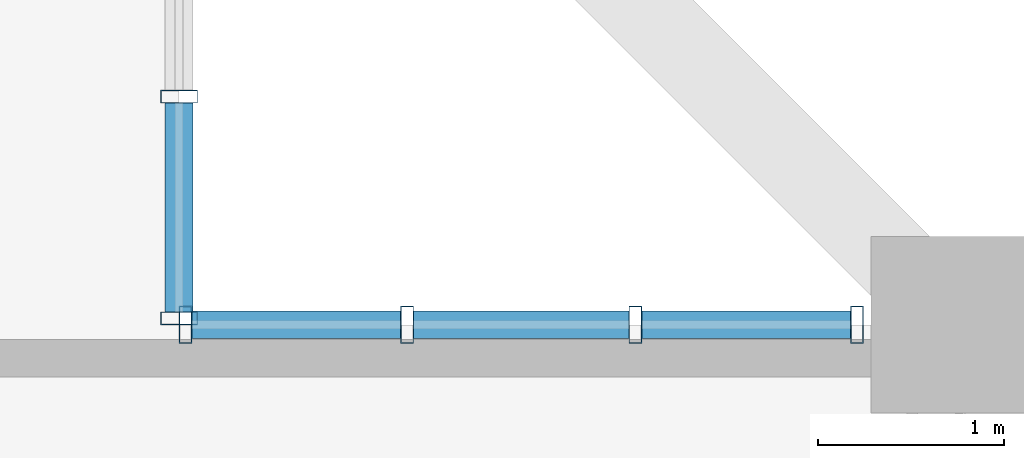
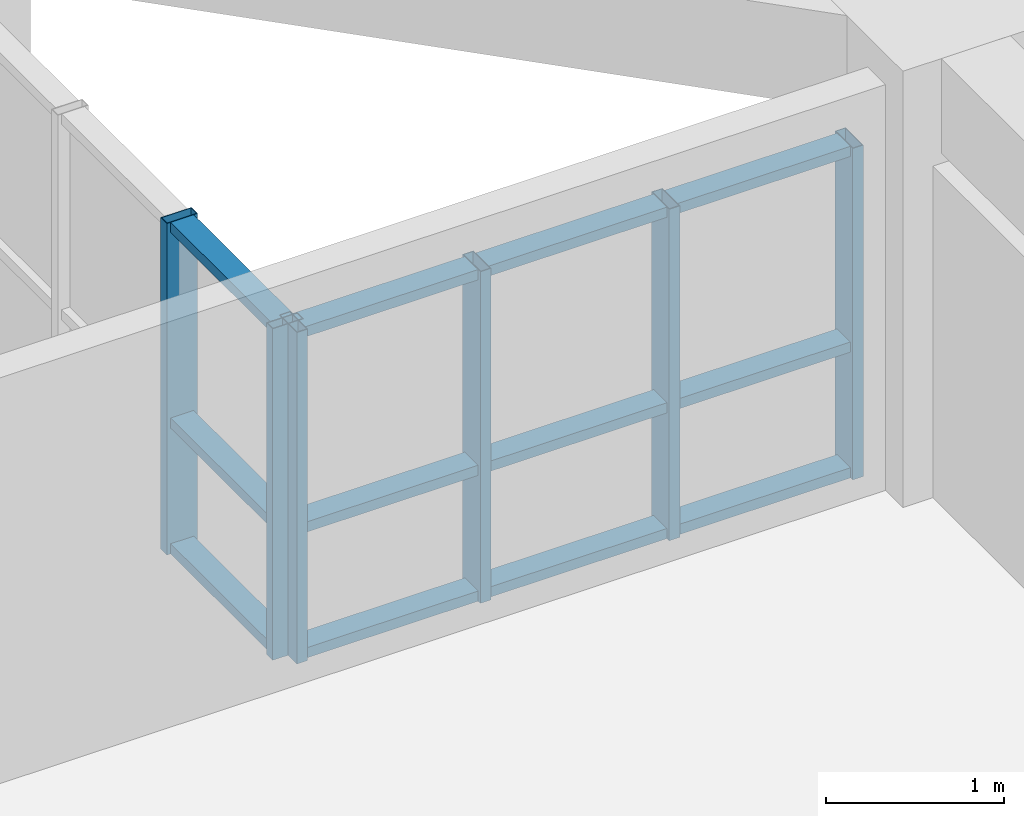
# One storey, part 10 of 22: 18 members, 2 elements without a shape of their own.
"""IFC4 building model written with IfcOpenShell, lengths in metres."""

from ifc_helpers import new_model, si_unit, direction, frame, origin, origin_2d, place, context, subcontext, project, spatial, hollow_rectangle, extrude, source, transform, mapped, material, layer, layer_set, material_profile, profile_set, type_object, element, aggregate, save


model = new_model("IFC4")

# Units and contexts
model_context = context("Model", 3, precision=1e-05, world=origin(), true_north=direction((0.0, 1.0)))
body_context = subcontext(model_context, "Body", "Model", "MODEL_VIEW")
ifc_project = project(units=[si_unit("LENGTHUNIT", "METRE"), si_unit("AREAUNIT", "SQUARE_METRE"), si_unit("VOLUMEUNIT", "CUBIC_METRE"), si_unit("PLANEANGLEUNIT", "RADIAN"), si_unit("MASSUNIT", "GRAM", prefix="KILO")], contexts=[model_context])

# Site, building, storey
site_placement = place(None, origin())
site = spatial("IfcSite", under=ifc_project, at=site_placement, CompositionType="ELEMENT")
building_placement = place(site_placement, origin())
building = spatial("IfcBuilding", under=site, at=building_placement, Name="Saelheon Loggia Tower", CompositionType="ELEMENT")
storey_placement = place(building_placement, frame((0.0, 0.0, 135.75)))
storey = spatial("IfcBuildingStorey", under=building, at=storey_placement, Name="L43", CompositionType="ELEMENT", Elevation=135.75)

# Curtain wall, members
ifc_material_1 = material(Name="High-Wind Aluminium and Triple Laminated Glass", Category="aluminium")
ifc_layer = layer(ifc_material_1, 0.179931640625)
ifc_layer_set = layer_set([ifc_layer], Name="High-Wind Aluminium and Triple Laminated Glass")
curtain_wall_type = type_object("IfcCurtainWallType", Name="CW_TowerLoggiaHigh", PredefinedType="NOTDEFINED", material=ifc_layer_set)
curtain_wall_1_placement = place(storey_placement, origin())
curtain_wall_1 = element("IfcCurtainWall", 1, at=curtain_wall_1_placement, inside=storey, type_object=curtain_wall_type, Name="L43 Corner Notch Glazing NE1", PredefinedType="NOTDEFINED")
ifc_material_2 = material(Name="Anodised Aluminium 6063-T6", Category="aluminium")
ifc_material_profile_1 = material_profile(ifc_material_2, hollow_rectangle(XDim=0.070068359375, YDim=0.199951171875, WallThickness=0.0048828125, at=origin_2d()), Name="RHS-200x70x5")
ifc_profile_set_1 = profile_set([ifc_material_profile_1], Name="Anodised Aluminium 6063-T6")
member_type_1 = type_object("IfcMemberType", Name="CW_TowerLoggiaHigh_Mullion", PredefinedType="MULLION", material=ifc_profile_set_1)
shared_shape_1 = source(origin(), body_context, "Body", "SweptSolid", [
    extrude(hollow_rectangle(XDim=0.070068359375, YDim=0.199951171875, WallThickness=0.0048828125, at=origin_2d()), origin(), (0.0, 0.0, 1.0), 2.280029296875),
])
member_1_placement = place(storey_placement, frame((59.800048828125, 46.8349609375, 0.0), z_axis=(0.0, 0.0, 1.0), x_axis=(0.0, 1.0, 0.0)))
member_1 = element("IfcMember", 2, at=member_1_placement, type_object=member_type_1, Name="CW4 mullion 1", PredefinedType="MULLION", context=body_context, shape_type="MappedRepresentation", body=[
    mapped(shared_shape_1, transform((0.0, 0.0, 0.0), scale=1.0)),
])
member_2_placement = place(storey_placement, frame((59.800048828125, 48.0283203125, 0.0), z_axis=(0.0, 0.0, 1.0), x_axis=(0.0, 1.0, 0.0)))
member_2 = element("IfcMember", 3, at=member_2_placement, type_object=member_type_1, Name="CW4 mullion 2", PredefinedType="MULLION", context=body_context, shape_type="MappedRepresentation", body=[
    mapped(shared_shape_1, transform((0.0, 0.0, 0.0), scale=1.0)),
])

curtain_wall_2_placement = place(storey_placement, origin())
curtain_wall_2 = element("IfcCurtainWall", 4, at=curtain_wall_2_placement, inside=storey, type_object=curtain_wall_type, Name="L43 Corner Notch Glazing NE2", PredefinedType="NOTDEFINED")
member_3_placement = place(storey_placement, frame((59.8349609375, 46.800048828125, 0.0), z_axis=(0.0, 0.0, 1.0), x_axis=(1.0, 0.0, 0.0)))
member_3 = element("IfcMember", 5, at=member_3_placement, type_object=member_type_1, Name="CW4 mullion 1", PredefinedType="MULLION", context=body_context, shape_type="MappedRepresentation", body=[
    mapped(shared_shape_1, transform((0.0, 0.0, 0.0), scale=1.0)),
])
member_4_placement = place(storey_placement, frame((61.0283203125, 46.800048828125, 0.0), z_axis=(0.0, 0.0, 1.0), x_axis=(1.0, 0.0, 0.0)))
member_4 = element("IfcMember", 6, at=member_4_placement, type_object=member_type_1, Name="CW4 mullion 2", PredefinedType="MULLION", context=body_context, shape_type="MappedRepresentation", body=[
    mapped(shared_shape_1, transform((0.0, 0.0, 0.0), scale=1.0)),
])
member_5_placement = place(storey_placement, frame((62.256591796875, 46.800048828125, 0.0), z_axis=(0.0, 0.0, 1.0), x_axis=(1.0, 0.0, 0.0)))
member_5 = element("IfcMember", 7, at=member_5_placement, type_object=member_type_1, Name="CW4 mullion 3", PredefinedType="MULLION", context=body_context, shape_type="MappedRepresentation", body=[
    mapped(shared_shape_1, transform((0.0, 0.0, 0.0), scale=1.0)),
])
member_6_placement = place(storey_placement, frame((63.449951171875, 46.800048828125, 0.0), z_axis=(0.0, 0.0, 1.0), x_axis=(1.0, 0.0, 0.0)))
member_6 = element("IfcMember", 8, at=member_6_placement, type_object=member_type_1, Name="CW4 mullion 4", PredefinedType="MULLION", context=body_context, shape_type="MappedRepresentation", body=[
    mapped(shared_shape_1, transform((0.0, 0.0, 0.0), scale=1.0)),
])

# Member
ifc_material_profile_2 = material_profile(ifc_material_2, hollow_rectangle(XDim=0.070068359375, YDim=0.14990234375, WallThickness=0.0048828125, at=origin_2d()), Name="RHS-150x70x5")
ifc_profile_set_2 = profile_set([ifc_material_profile_2], Name="Anodised Aluminium 6063-T6")
member_type_2 = type_object("IfcMemberType", Name="CW_TowerLoggiaHigh_Transom", PredefinedType="USERDEFINED", material=ifc_profile_set_2)
shared_shape_2 = source(origin(), body_context, "Body", "SweptSolid", [
    extrude(hollow_rectangle(XDim=0.070068359375, YDim=0.14990234375, WallThickness=0.0048828125, at=origin_2d()), origin(), (0.0, 0.0, 1.0), 1.123291015625),
])
member_7_placement = place(storey_placement, frame((59.800048828125, 46.8701171875, 0.034912109375), z_axis=(0.0, 1.0, 0.0), x_axis=(0.0, 0.0, 1.0)))
member_7 = element("IfcMember", 9, at=member_7_placement, type_object=member_type_2, Name="CW4 transom 1.1", ObjectType="TRANSOM", PredefinedType="USERDEFINED", context=body_context, shape_type="MappedRepresentation", body=[
    mapped(shared_shape_2, transform((0.0, 0.0, 0.0), scale=1.0)),
])

member_8_placement = place(storey_placement, frame((59.800048828125, 46.8701171875, 0.89990234375), z_axis=(0.0, 1.0, 0.0), x_axis=(0.0, 0.0, 1.0)))
member_8 = element("IfcMember", 10, at=member_8_placement, type_object=member_type_2, Name="CW4 transom 1.2", ObjectType="TRANSOM", PredefinedType="USERDEFINED", context=body_context, shape_type="MappedRepresentation", body=[
    mapped(shared_shape_2, transform((0.0, 0.0, 0.0), scale=1.0)),
])

member_9_placement = place(storey_placement, frame((59.800048828125, 46.8701171875, 2.2451171875), z_axis=(0.0, 1.0, 0.0), x_axis=(0.0, 0.0, 1.0)))
member_9 = element("IfcMember", 11, at=member_9_placement, type_object=member_type_2, Name="CW4 transom 1.3", ObjectType="TRANSOM", PredefinedType="USERDEFINED", context=body_context, shape_type="MappedRepresentation", body=[
    mapped(shared_shape_2, transform((0.0, 0.0, 0.0), scale=1.0)),
])

aggregate(curtain_wall_1, [member_1, member_2, member_7, member_8, member_9])

member_10_placement = place(storey_placement, frame((59.8701171875, 46.800048828125, 0.034912109375), z_axis=(1.0, 0.0, 0.0), x_axis=(0.0, 0.0, 1.0)))
member_10 = element("IfcMember", 12, at=member_10_placement, type_object=member_type_2, Name="CW4 transom 1.1", ObjectType="TRANSOM", PredefinedType="USERDEFINED", context=body_context, shape_type="MappedRepresentation", body=[
    mapped(shared_shape_2, transform((0.0, 0.0, 0.0), scale=1.0)),
])

member_11_placement = place(storey_placement, frame((59.8701171875, 46.800048828125, 0.89990234375), z_axis=(1.0, 0.0, 0.0), x_axis=(0.0, 0.0, 1.0)))
member_11 = element("IfcMember", 13, at=member_11_placement, type_object=member_type_2, Name="CW4 transom 1.2", ObjectType="TRANSOM", PredefinedType="USERDEFINED", context=body_context, shape_type="MappedRepresentation", body=[
    mapped(shared_shape_2, transform((0.0, 0.0, 0.0), scale=1.0)),
])

member_12_placement = place(storey_placement, frame((59.8701171875, 46.800048828125, 2.2451171875), z_axis=(1.0, 0.0, 0.0), x_axis=(0.0, 0.0, 1.0)))
member_12 = element("IfcMember", 14, at=member_12_placement, type_object=member_type_2, Name="CW4 transom 1.3", ObjectType="TRANSOM", PredefinedType="USERDEFINED", context=body_context, shape_type="MappedRepresentation", body=[
    mapped(shared_shape_2, transform((0.0, 0.0, 0.0), scale=1.0)),
])

member_13_placement = place(storey_placement, frame((62.291748046875, 46.800048828125, 0.034912109375), z_axis=(1.0, 0.0, 0.0), x_axis=(0.0, 0.0, 1.0)))
member_13 = element("IfcMember", 15, at=member_13_placement, type_object=member_type_2, Name="CW4 transom 3.1", ObjectType="TRANSOM", PredefinedType="USERDEFINED", context=body_context, shape_type="MappedRepresentation", body=[
    mapped(shared_shape_2, transform((0.0, 0.0, 0.0), scale=1.0)),
])

member_14_placement = place(storey_placement, frame((62.291748046875, 46.800048828125, 0.89990234375), z_axis=(1.0, 0.0, 0.0), x_axis=(0.0, 0.0, 1.0)))
member_14 = element("IfcMember", 16, at=member_14_placement, type_object=member_type_2, Name="CW4 transom 3.2", ObjectType="TRANSOM", PredefinedType="USERDEFINED", context=body_context, shape_type="MappedRepresentation", body=[
    mapped(shared_shape_2, transform((0.0, 0.0, 0.0), scale=1.0)),
])

member_15_placement = place(storey_placement, frame((62.291748046875, 46.800048828125, 2.2451171875), z_axis=(1.0, 0.0, 0.0), x_axis=(0.0, 0.0, 1.0)))
member_15 = element("IfcMember", 17, at=member_15_placement, type_object=member_type_2, Name="CW4 transom 3.3", ObjectType="TRANSOM", PredefinedType="USERDEFINED", context=body_context, shape_type="MappedRepresentation", body=[
    mapped(shared_shape_2, transform((0.0, 0.0, 0.0), scale=1.0)),
])

shared_shape_3 = source(origin(), body_context, "Body", "SweptSolid", [
    extrude(hollow_rectangle(XDim=0.070068359375, YDim=0.14990234375, WallThickness=0.0048828125, at=origin_2d()), origin(), (0.0, 0.0, 1.0), 1.158447265625),
])
member_16_placement = place(storey_placement, frame((61.063232421875, 46.800048828125, 0.034912109375), z_axis=(1.0, 0.0, 0.0), x_axis=(0.0, 0.0, 1.0)))
member_16 = element("IfcMember", 18, at=member_16_placement, type_object=member_type_2, Name="CW4 transom 2.1", ObjectType="TRANSOM", PredefinedType="USERDEFINED", context=body_context, shape_type="MappedRepresentation", body=[
    mapped(shared_shape_3, transform((0.0, 0.0, 0.0), scale=1.0)),
])

member_17_placement = place(storey_placement, frame((61.063232421875, 46.800048828125, 0.89990234375), z_axis=(1.0, 0.0, 0.0), x_axis=(0.0, 0.0, 1.0)))
member_17 = element("IfcMember", 19, at=member_17_placement, type_object=member_type_2, Name="CW4 transom 2.2", ObjectType="TRANSOM", PredefinedType="USERDEFINED", context=body_context, shape_type="MappedRepresentation", body=[
    mapped(shared_shape_3, transform((0.0, 0.0, 0.0), scale=1.0)),
])

member_18_placement = place(storey_placement, frame((61.063232421875, 46.800048828125, 2.2451171875), z_axis=(1.0, 0.0, 0.0), x_axis=(0.0, 0.0, 1.0)))
member_18 = element("IfcMember", 20, at=member_18_placement, type_object=member_type_2, Name="CW4 transom 2.3", ObjectType="TRANSOM", PredefinedType="USERDEFINED", context=body_context, shape_type="MappedRepresentation", body=[
    mapped(shared_shape_3, transform((0.0, 0.0, 0.0), scale=1.0)),
])

aggregate(curtain_wall_2, [member_3, member_4, member_5, member_6, member_10, member_11, member_12, member_16, member_17, member_18, member_13, member_14, member_15])

save(model, "model.ifc")
